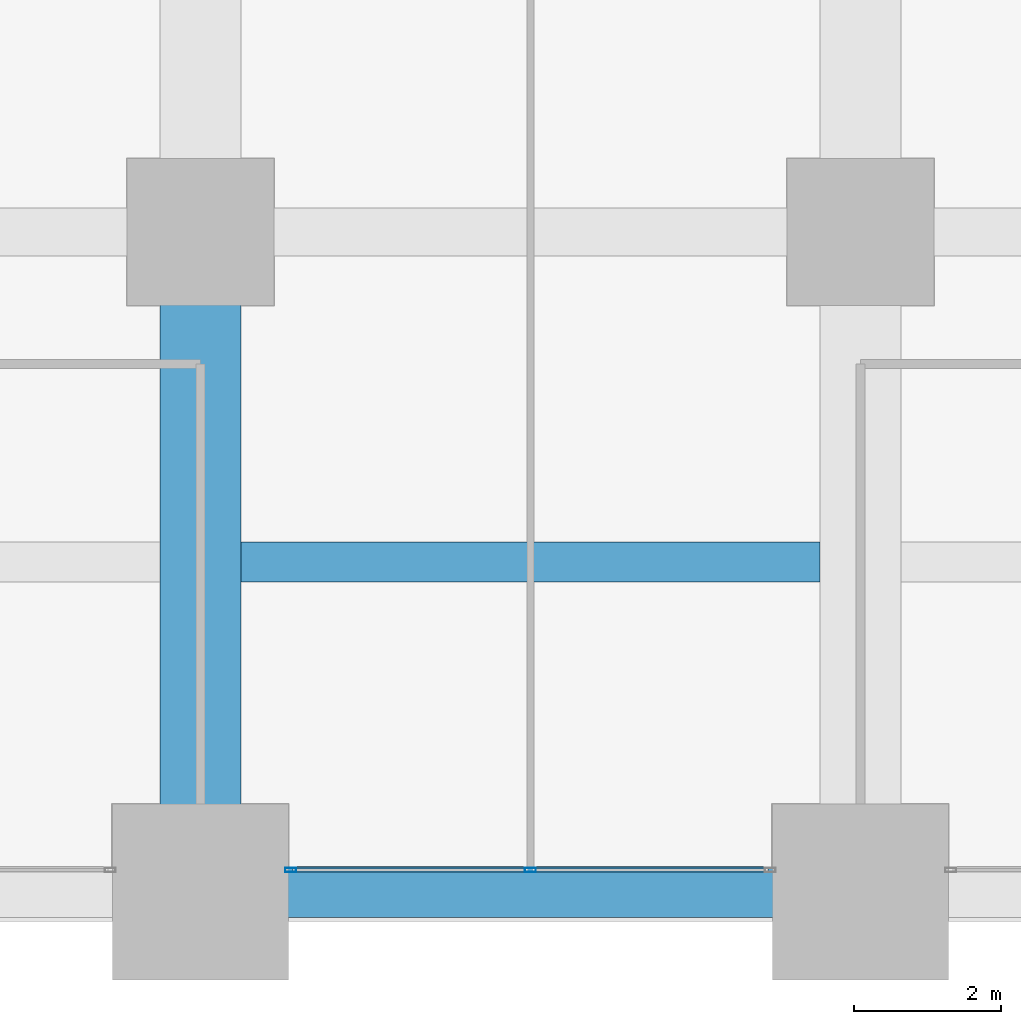
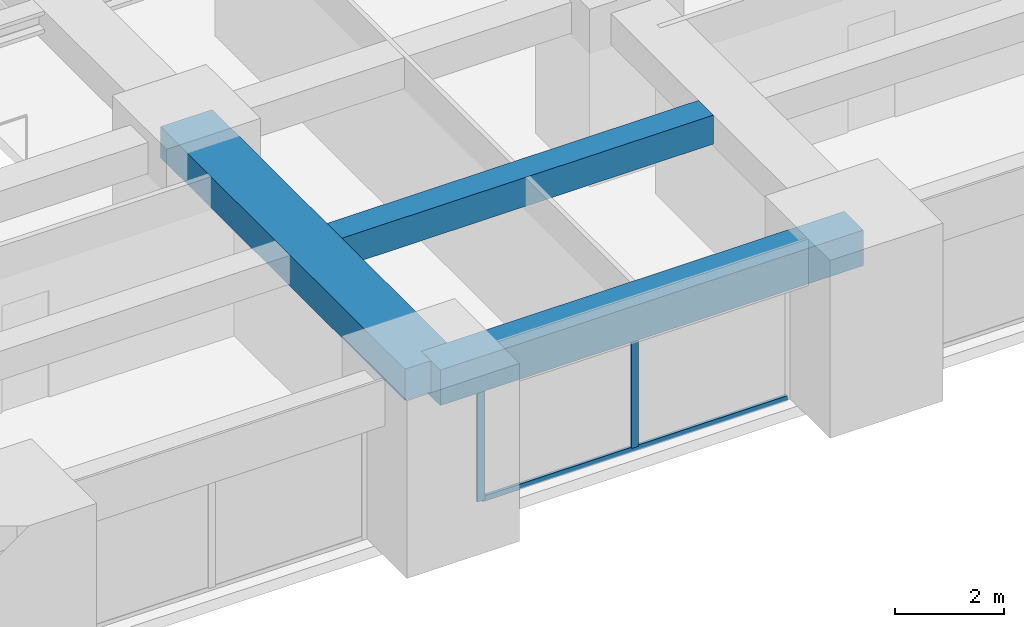
# One storey, part 7 of 39: 3 beams, 3 members, 1 element without a shape of its own.
"""IFC4 building model written with IfcOpenShell, lengths in metres."""

from ifc_helpers import new_model, si_unit, direction, frame, origin, origin_2d, place, context, subcontext, project, spatial, rectangle, hollow_rectangle, extrude, material, material_profile, profile_set, type_object, element, aggregate, save


model = new_model("IFC4")

# Units and contexts
model_context = context("Model", 3, precision=1e-05, world=origin(), true_north=direction((0.0, 1.0)))
body_context = subcontext(model_context, "Body", "Model", "MODEL_VIEW")
ifc_project = project(units=[si_unit("LENGTHUNIT", "METRE"), si_unit("AREAUNIT", "SQUARE_METRE"), si_unit("VOLUMEUNIT", "CUBIC_METRE"), si_unit("PLANEANGLEUNIT", "RADIAN"), si_unit("MASSUNIT", "GRAM", prefix="KILO")], contexts=[model_context])

# Site, building, storey
site_placement = place(None, origin())
site = spatial("IfcSite", under=ifc_project, at=site_placement, CompositionType="ELEMENT")
building_placement = place(site_placement, origin())
building = spatial("IfcBuilding", under=site, at=building_placement, Name="Zorevar Civic Tower", CompositionType="ELEMENT")
storey_placement = place(building_placement, frame((0.0, 0.0, 121.0)))
storey = spatial("IfcBuildingStorey", under=building, at=storey_placement, Name="L29", CompositionType="ELEMENT", Elevation=121.0)

# Beams
ifc_material_1 = material(Name="Concrete C50/60", Category="concrete")
ifc_material_profile_1 = material_profile(ifc_material_1, rectangle(XDim=1.10009765625, YDim=0.699951171875, at=origin_2d()), Name="RC 1100x700")
ifc_profile_set_1 = profile_set([ifc_material_profile_1], Name="Concrete C50/60")
beam_type_1 = type_object("IfcBeamType", Name="Beam RC 1100x700", PredefinedType="BEAM", material=ifc_profile_set_1)
beam_1_placement = place(storey_placement, frame((27.0, 0.0, 3.39990234375), z_axis=(0.0, 1.0, 0.0), x_axis=(-1.0, 0.0, 0.0)))
element("IfcBeam", 1, at=beam_1_placement, inside=storey, type_object=beam_type_1, Name="Girder L30", PredefinedType="BEAM", context=body_context, shape_type="SweptSolid", body=[
    extrude(rectangle(XDim=1.10009765625, YDim=0.699951171875, at=origin_2d()), origin(), (0.0, 0.0, 1.0), 9.0),
])
ifc_material_2 = material(Name="Concrete C50/60", Category="concrete")
ifc_material_profile_2 = material_profile(ifc_material_2, rectangle(XDim=0.550048828125, YDim=0.64990234375, at=origin_2d()), Name="RC 550x650")
ifc_profile_set_2 = profile_set([ifc_material_profile_2], Name="Concrete C50/60")
beam_type_2 = type_object("IfcBeamType", Name="Beam RC 550x650", PredefinedType="BEAM", material=ifc_profile_set_2)
beam_2_placement = place(storey_placement, frame((27.550048828125, 4.5, 3.425048828125), z_axis=(1.0, 0.0, 0.0), x_axis=(0.0, 1.0, 0.0)))
element("IfcBeam", 2, at=beam_2_placement, inside=storey, type_object=beam_type_2, Name="Secondary beam L30", PredefinedType="BEAM", context=body_context, shape_type="SweptSolid", body=[
    extrude(rectangle(XDim=0.550048828125, YDim=0.64990234375, at=origin_2d()), origin(), (0.0, 0.0, 1.0), 7.89990234375),
])

# Curtain wall, members
ifc_material_3 = material(Name="Dark grey solar-control glass in black aluminium frame", Category="aluminium")
curtain_wall_type = type_object("IfcCurtainWallType", Name="Curtain wall CW3 mid zone", PredefinedType="NOTDEFINED", material=ifc_material_3)
curtain_wall_placement = place(storey_placement, origin())
curtain_wall = element("IfcCurtainWall", 3, at=curtain_wall_placement, inside=storey, type_object=curtain_wall_type, Name="CW3 L29", PredefinedType="NOTDEFINED")
ifc_material_4 = material(Name="Aluminium, black anodised", Category="aluminium")
ifc_material_profile_3 = material_profile(ifc_material_4, hollow_rectangle(XDim=0.06005859375, YDim=0.14990234375, WallThickness=0.00390625, at=origin_2d()), Name="AL 150x60x4")
ifc_profile_set_3 = profile_set([ifc_material_profile_3], Name="Aluminium, black anodised")
member_type_1 = type_object("IfcMemberType", Name="CW3 mullion AL 150x60x4", PredefinedType="MULLION", material=ifc_profile_set_3)
member_1_placement = place(storey_placement, frame((28.22998046875, 0.300048828125, 0.0), z_axis=(0.0, 0.0, 1.0), x_axis=(0.0, 1.0, 0.0)))
member_1 = element("IfcMember", 4, at=member_1_placement, type_object=member_type_1, Name="CW3 mullion 1", PredefinedType="MULLION", context=body_context, shape_type="SweptSolid", body=[
    extrude(hollow_rectangle(XDim=0.06005859375, YDim=0.14990234375, WallThickness=0.00390625, at=origin_2d()), origin(), (0.0, 0.0, 1.0), 2.949951171875),
])
member_2_placement = place(storey_placement, frame((31.5, 0.300048828125, 0.06005859375), z_axis=(0.0, 0.0, 1.0), x_axis=(0.0, 1.0, 0.0)))
member_2 = element("IfcMember", 5, at=member_2_placement, type_object=member_type_1, Name="CW3 mullion 2", PredefinedType="MULLION", context=body_context, shape_type="SweptSolid", body=[
    extrude(hollow_rectangle(XDim=0.06005859375, YDim=0.14990234375, WallThickness=0.00390625, at=origin_2d()), origin(), (0.0, 0.0, 1.0), 2.889892578125),
])
ifc_material_5 = material(Name="Aluminium, black anodised", Category="aluminium")
ifc_material_profile_4 = material_profile(ifc_material_5, hollow_rectangle(XDim=0.06005859375, YDim=0.1201171875, WallThickness=0.0029296875, at=origin_2d()), Name="AL 120x60x3")
ifc_profile_set_4 = profile_set([ifc_material_profile_4], Name="Aluminium, black anodised")
member_type_2 = type_object("IfcMemberType", Name="CW3 transom AL 120x60x3", PredefinedType="USERDEFINED", material=ifc_profile_set_4)
member_3_placement = place(storey_placement, frame((28.260009765625, 0.300048828125, 0.030029296875), z_axis=(1.0, 0.0, 0.0), x_axis=(0.0, 1.0, 0.0)))
member_3 = element("IfcMember", 6, at=member_3_placement, type_object=member_type_2, Name="CW3 sill transom", ObjectType="TRANSOM", PredefinedType="USERDEFINED", context=body_context, shape_type="SweptSolid", body=[
    extrude(hollow_rectangle(XDim=0.06005859375, YDim=0.1201171875, WallThickness=0.0029296875, at=origin_2d()), origin(), (0.0, 0.0, 1.0), 6.47998046875),
])
aggregate(curtain_wall, [member_1, member_2, member_3])

# Beam
ifc_material_6 = material(Name="Concrete C50/60", Category="concrete")
ifc_material_profile_5 = material_profile(ifc_material_6, rectangle(XDim=0.699951171875, YDim=0.800048828125, at=origin_2d()), Name="RC 700x800")
ifc_profile_set_5 = profile_set([ifc_material_profile_5], Name="Concrete C50/60")
beam_type_3 = type_object("IfcBeamType", Name="Edge beam RC 700x800", PredefinedType="SPANDREL", material=ifc_profile_set_5)
beam_3_placement = place(storey_placement, frame((27.0, 0.0, 3.35009765625), z_axis=(1.0, 0.0, 0.0), x_axis=(0.0, 1.0, 0.0)))
element("IfcBeam", 7, at=beam_3_placement, inside=storey, type_object=beam_type_3, Name="Edge beam L30", PredefinedType="SPANDREL", context=body_context, shape_type="SweptSolid", body=[
    extrude(rectangle(XDim=0.699951171875, YDim=0.800048828125, at=origin_2d()), origin(), (0.0, 0.0, 1.0), 9.0),
])

save(model, "model.ifc")
